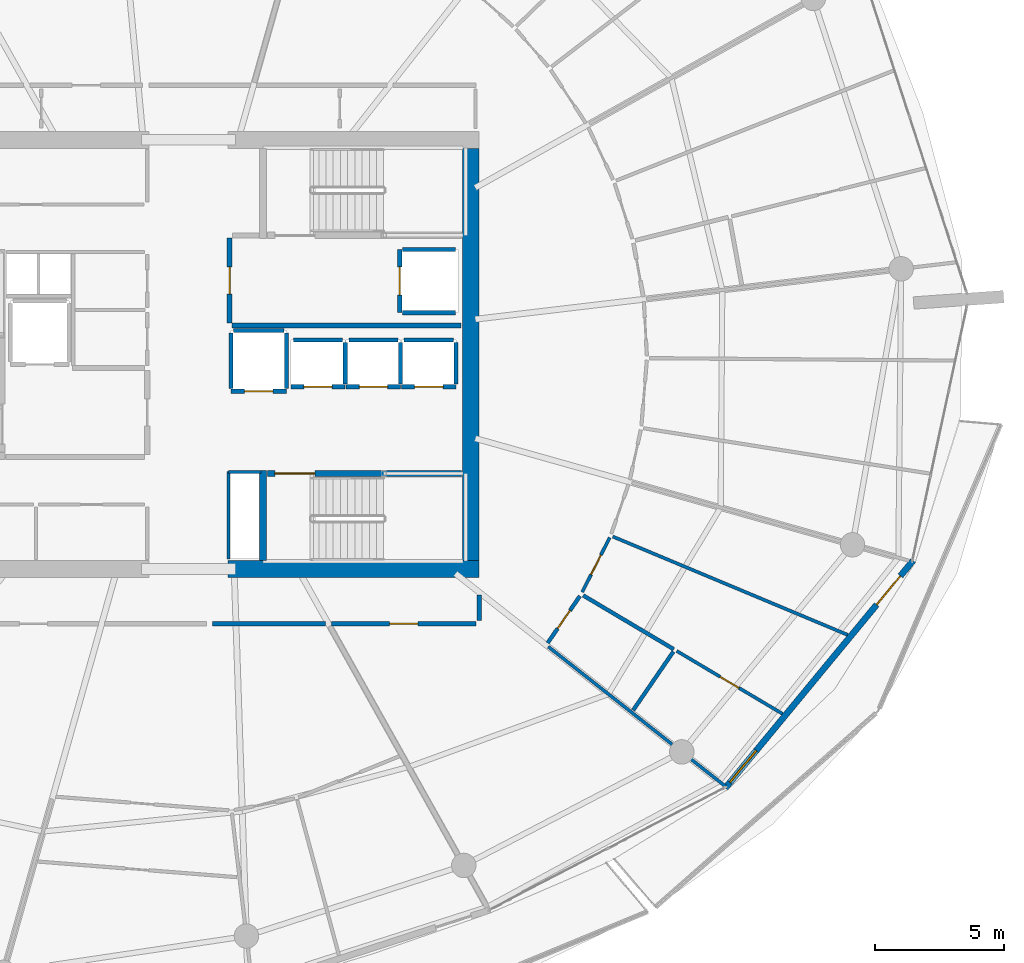
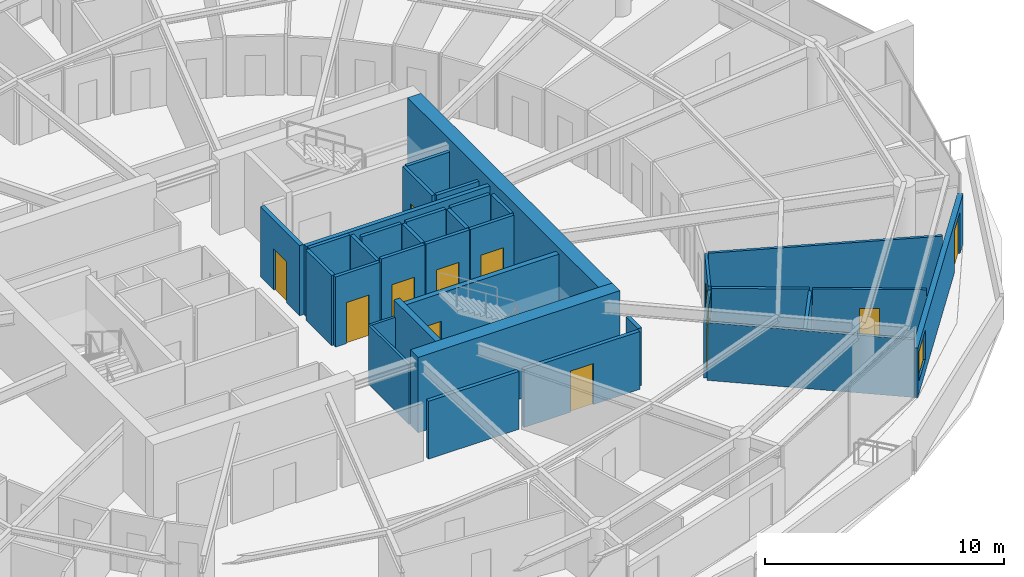
# One storey, part 20 of 31: 35 walls, 12 doors, 1 window, 13 openings.
"""IFC4 building model written with IfcOpenShell, lengths in metres."""

from ifc_helpers import new_model, si_unit, direction, frame, frame_2d, origin, place, context, subcontext, project, spatial, rectangle, extrude, material, layer, layer_set, type_object, element, fill, save


model = new_model("IFC4")

# Units and contexts
model_context = context("Model", 3, precision=1e-05, world=origin(), true_north=direction((0.0, 1.0)))
body_context = subcontext(model_context, "Body", "Model", "MODEL_VIEW")
ifc_project = project(units=[si_unit("LENGTHUNIT", "METRE"), si_unit("AREAUNIT", "SQUARE_METRE"), si_unit("VOLUMEUNIT", "CUBIC_METRE"), si_unit("PLANEANGLEUNIT", "RADIAN"), si_unit("MASSUNIT", "GRAM", prefix="KILO")], contexts=[model_context])

# Site, building, storey
site_placement = place(None, origin())
site = spatial("IfcSite", under=ifc_project, at=site_placement, CompositionType="ELEMENT")
building_placement = place(site_placement, origin())
building = spatial("IfcBuilding", under=site, at=building_placement, Name="Kazma Halo Residences", CompositionType="ELEMENT")
storey_placement = place(building_placement, frame((0.0, 0.0, 259.800048828125)))
storey = spatial("IfcBuildingStorey", under=building, at=storey_placement, Name="L65", CompositionType="ELEMENT", Elevation=259.800048828125)

# Walls
ifc_material_1 = material(Name="Concrete C60/75", Category="concrete")
ifc_layer_1 = layer(ifc_material_1, 0.64990234375)
ifc_layer_set_1 = layer_set([ifc_layer_1], Name="Concrete C60/75")
wall_type_1 = type_object("IfcWallType", Name="WL-CORE-650", PredefinedType="SHEAR", material=ifc_layer_set_1)
wall_1_placement = place(storey_placement, frame((49.949951171875, 33.675048828125, 0.0), z_axis=(0.0, 0.0, 1.0), x_axis=(1.0, 0.0, 0.0)))
element("IfcWall", 1, at=wall_1_placement, inside=storey, type_object=wall_type_1, Name="L65 central core shear wall SE", PredefinedType="SHEAR", context=body_context, shape_type="SweptSolid", body=[
    extrude(rectangle(XDim=9.75, YDim=0.64990234375, at=frame_2d((4.875, 0.0))), origin(), (0.0, 0.0, 1.0), 3.849853515625),
])
wall_2_placement = place(storey_placement, frame((59.375, 34.0, 0.0), z_axis=(0.0, 0.0, 1.0), x_axis=(0.0, 1.0, 0.0)))
element("IfcWall", 2, at=wall_2_placement, inside=storey, type_object=wall_type_1, Name="L65 central core shear wall E", PredefinedType="SHEAR", context=body_context, shape_type="SweptSolid", body=[
    extrude(rectangle(XDim=16.0, YDim=0.64990234375, at=frame_2d((8.0, 0.0))), origin(), (0.0, 0.0, 1.0), 3.849853515625),
])
ifc_layer_2 = layer(ifc_material_1, 0.280029296875)
ifc_layer_set_2 = layer_set([ifc_layer_2], Name="Concrete C60/75")
wall_type_2 = type_object("IfcWallType", Name="WL-CORE-ST-280", PredefinedType="SHEAR", material=ifc_layer_set_2)
wall_3_placement = place(storey_placement, frame((51.31005859375, 34.0, 0.0), z_axis=(0.0, 0.0, 1.0), x_axis=(0.0, 1.0, 0.0)))
element("IfcWall", 3, at=wall_3_placement, inside=storey, type_object=wall_type_2, Name="L65 stairwell bearing wall ST03-W", PredefinedType="SHEAR", context=body_context, shape_type="SweptSolid", body=[
    extrude(rectangle(XDim=3.5, YDim=0.280029296875, at=frame_2d((1.75, 0.0))), origin(), (0.0, 0.0, 1.0), 3.849853515625),
])
ifc_material_2 = material(Name="Acoustic Twin-Stud Gypsum")
ifc_layer_3 = layer(ifc_material_2, 0.179931640625)
ifc_layer_set_3 = layer_set([ifc_layer_3], Name="Acoustic Twin-Stud Gypsum")
wall_type_3 = type_object("IfcWallType", Name="WL-DEM-180", PredefinedType="PARTITIONING", material=ifc_layer_set_3)
wall_4_placement = place(storey_placement, frame((49.356689453125, 31.550048828125, 0.0), z_axis=(0.0, 0.0, 1.0), x_axis=(1.0, 0.0, 0.0)))
element("IfcWall", 4, at=wall_4_placement, inside=storey, type_object=wall_type_3, Name="L65 Apartment 2 inner wall 11", PredefinedType="PARTITIONING", context=body_context, shape_type="SweptSolid", body=[
    extrude(rectangle(XDim=4.375732421875, YDim=0.179931640625, at=frame_2d((2.18798828125, 0.0))), origin(), (0.0, 0.0, 1.0), 2.95703125),
])

# Wall, opening, door
wall_5_placement = place(storey_placement, frame((53.972412109375, 31.550048828125, 0.0), z_axis=(0.0, 0.0, 1.0), x_axis=(1.0, 0.0, 0.0)))
wall_5 = element("IfcWall", 5, at=wall_5_placement, inside=storey, type_object=wall_type_3, Name="L65 Apartment 3 entrance corridor wall", PredefinedType="PARTITIONING", context=body_context, shape_type="SweptSolid", body=[
    extrude(rectangle(XDim=5.607666015625, YDim=0.179931640625, at=frame_2d((2.8037109375, 0.0))), origin(), (0.0, 0.0, 1.0), 2.95703125),
])
opening_1_placement = place(wall_5_placement, frame((2.25390625, 0.0, 0.0)))
opening_1 = element("IfcOpeningElement", 6, at=opening_1_placement, cuts=wall_5, Name="Opening DA-1100", PredefinedType="OPENING", context=body_context, shape_type="SweptSolid", body=[
    extrude(rectangle(XDim=1.10009765625, YDim=2.10009765625, at=frame_2d((0.550048828125, 1.050048828125))), frame((0.0, 0.099853515625, 0.0), z_axis=(0.0, -1.0, 0.0), x_axis=(1.0, 0.0, 0.0)), (0.0, 0.0, 1.0), 0.199951171875),
])
ifc_material_3 = material(Name="Acoustic Walnut Fire Leaf")
door_type_1 = type_object("IfcDoorType", Name="DR-FD60-1100", OperationType="NOTDEFINED", PredefinedType="DOOR", material=ifc_material_3)
door_1_placement = place(opening_1_placement, origin())
door_1 = element("IfcDoor", 7, at=door_1_placement, inside=storey, type_object=door_type_1, Name="L65 Apartment 3 entrance fire door", OperationType="SINGLE_SWING_LEFT", OverallHeight=2.10009765625, OverallWidth=1.10009765625, PredefinedType="DOOR", context=body_context, shape_type="SweptSolid", body=[
    extrude(rectangle(XDim=1.10009765625, YDim=2.10009765625, at=frame_2d((0.550048828125, 1.050048828125))), frame((0.0, 0.02490234375, 0.0), z_axis=(0.0, -1.0, 0.0), x_axis=(1.0, 0.0, 0.0)), (0.0, 0.0, 1.0), 0.050048828125),
])
fill(opening_1, door_1)

# Wall
wall_6_placement = place(storey_placement, frame((59.699951171875, 31.669921875, 0.0), z_axis=(0.0, 0.0, 1.0), x_axis=(0.0, 1.0, 0.0)))
element("IfcWall", 8, at=wall_6_placement, inside=storey, type_object=wall_type_3, Name="L65 Apartment 3 entrance corridor wall", PredefinedType="PARTITIONING", context=body_context, shape_type="SweptSolid", body=[
    extrude(rectangle(XDim=0.986572265625, YDim=0.179931640625, at=frame_2d((0.4931640625, 0.0))), origin(), (0.0, 0.0, 1.0), 2.95703125),
])

# Wall, openings, door, window
ifc_material_4 = material(Name="Insulated Pale-Metal Composite Wall")
ifc_layer_4 = layer(ifc_material_4, 0.239990234375)
ifc_layer_set_4 = layer_set([ifc_layer_4], Name="Insulated Pale-Metal Composite Wall")
wall_type_4 = type_object("IfcWallType", Name="WL-EXT-HOST-240", PredefinedType="SOLIDWALL", material=ifc_layer_set_4)
wall_7_placement = place(storey_placement, frame((69.2578125, 25.177978515625, 0.0), z_axis=(0.0, 0.0, 1.0), x_axis=(0.636680093065, 0.771128043255, 0.0)))
wall_7 = element("IfcWall", 9, at=wall_7_placement, inside=storey, type_object=wall_type_4, Name="L65 exterior terrace-access wall B14", PredefinedType="SOLIDWALL", context=body_context, shape_type="SweptSolid", body=[
    extrude(rectangle(XDim=11.438232421875, YDim=0.239990234375, at=frame_2d((5.71923828125, 0.0))), origin(), (0.0, 0.0, 1.0), 2.5400390625),
])
opening_2_placement = place(wall_7_placement, frame((9.21826171875, 0.0, 0.0)))
opening_2 = element("IfcOpeningElement", 10, at=opening_2_placement, cuts=wall_7, Name="Opening DTR-1600", PredefinedType="OPENING", context=body_context, shape_type="SweptSolid", body=[
    extrude(rectangle(XDim=1.449951171875, YDim=2.14990234375, at=frame_2d((0.72509765625, 1.074951171875))), frame((0.0, 0.1298828125, 0.0), z_axis=(0.0, -1.0, 0.0), x_axis=(1.0, 0.0, 0.0)), (0.0, 0.0, 1.0), 0.260009765625),
])
opening_3_placement = place(wall_7_placement, frame((0.280029296875, 0.0, 0.64990234375)))
opening_3 = element("IfcOpeningElement", 11, at=opening_3_placement, cuts=wall_7, Name="Opening W-1800", PredefinedType="OPENING", context=body_context, shape_type="SweptSolid", body=[
    extrude(rectangle(XDim=1.60009765625, YDim=1.5, at=frame_2d((0.800048828125, 0.75))), frame((0.0, 0.1298828125, 0.0), z_axis=(0.0, -1.0, 0.0), x_axis=(1.0, 0.0, 0.0)), (0.0, 0.0, 1.0), 0.260009765625),
])
ifc_material_5 = material(Name="Aluminium AW-6063 T6 Double-Glazed Terrace Door", Category="aluminium")
door_type_2 = type_object("IfcDoorType", Name="DR-EXT-TERR-1600", OperationType="NOTDEFINED", PredefinedType="DOOR", material=ifc_material_5)
door_2_placement = place(opening_2_placement, origin())
door_2 = element("IfcDoor", 12, at=door_2_placement, inside=storey, type_object=door_type_2, Name="L65 B14 balcony terrace door", OperationType="DOUBLE_DOOR_SLIDING", OverallHeight=2.14990234375, OverallWidth=1.449951171875, PredefinedType="DOOR", context=body_context, shape_type="SweptSolid", body=[
    extrude(rectangle(XDim=1.449951171875, YDim=2.14990234375, at=frame_2d((0.72509765625, 1.074951171875))), frame((0.0, 0.02490234375, 0.0), z_axis=(0.0, -1.0, 0.0), x_axis=(1.0, 0.0, 0.0)), (0.0, 0.0, 1.0), 0.050048828125),
])
fill(opening_2, door_2)
ifc_material_6 = material(Name="Clear Triple-Silver Low-E Glass in Aluminium AW-6063 T6 Frame", Category="aluminium")
window_type = type_object("IfcWindowType", Name="WIN-RES-1800", PartitioningType="DOUBLE_PANEL_VERTICAL", PredefinedType="WINDOW", material=ifc_material_6)
window_placement = place(opening_3_placement, origin())
window = element("IfcWindow", 13, at=window_placement, inside=storey, type_object=window_type, Name="L65 B14 apartment window", OverallHeight=1.5, OverallWidth=1.60009765625, PartitioningType="SINGLE_PANEL", PredefinedType="WINDOW", context=body_context, shape_type="SweptSolid", body=[
    extrude(rectangle(XDim=1.60009765625, YDim=1.5, at=frame_2d((0.800048828125, 0.75))), frame((0.0, 0.030029296875, 0.0), z_axis=(0.0, -1.0, 0.0), x_axis=(1.0, 0.0, 0.0)), (0.0, 0.0, 1.0), 0.06005859375),
])
fill(opening_3, window)

# Wall, opening, door
ifc_material_7 = material(Name="Fire-Rated Blockwork Masonry", Category="masonry")
ifc_layer_5 = layer(ifc_material_7, 0.199951171875)
ifc_layer_set_5 = layer_set([ifc_layer_5], Name="Fire-Rated Blockwork Masonry")
wall_type_5 = type_object("IfcWallType", Name="WL-FLB-200", PredefinedType="PARTITIONING", material=ifc_layer_set_5)
wall_8_placement = place(storey_placement, frame((54.5048828125, 40.7451171875, 0.0), z_axis=(0.0, 0.0, 1.0), x_axis=(-1.0, 0.0, 0.0)))
wall_8 = element("IfcWall", 14, at=wall_8_placement, inside=storey, type_object=wall_type_5, Name="L65 lift shaft PH-01 front wall", PredefinedType="PARTITIONING", context=body_context, shape_type="SweptSolid", body=[
    extrude(rectangle(XDim=2.10986328125, YDim=0.159912109375, at=frame_2d((1.054931640625, 0.0))), origin(), (0.0, 0.0, 1.0), 3.58984375),
])
opening_4_placement = place(wall_8_placement, frame((0.5048828125, 0.0, 0.0)))
opening_4 = element("IfcOpeningElement", 15, at=opening_4_placement, cuts=wall_8, Name="Opening LD-PH-01", PredefinedType="OPENING", context=body_context, shape_type="SweptSolid", body=[
    extrude(rectangle(XDim=1.10009765625, YDim=2.10009765625, at=frame_2d((0.550048828125, 1.050048828125))), frame((0.0, 0.08984375, 0.0), z_axis=(0.0, -1.0, 0.0), x_axis=(1.0, 0.0, 0.0)), (0.0, 0.0, 1.0), 0.179931640625),
])
ifc_material_8 = material(Name="Stainless Steel Fire-Rated", Category="steel")
door_type_3 = type_object("IfcDoorType", Name="DR-LIFT-SLD-1100", OperationType="DOUBLE_DOOR_SLIDING", PredefinedType="DOOR", material=ifc_material_8)
door_3_placement = place(opening_4_placement, origin())
door_3 = element("IfcDoor", 16, at=door_3_placement, inside=storey, type_object=door_type_3, Name="L65 lift PH-01 sliding landing door", OperationType="DOUBLE_DOOR_SLIDING", OverallHeight=2.10009765625, OverallWidth=1.10009765625, PredefinedType="DOOR", context=body_context, shape_type="SweptSolid", body=[
    extrude(rectangle(XDim=1.10009765625, YDim=2.10009765625, at=frame_2d((0.550048828125, 1.050048828125))), frame((0.0, 0.02490234375, 0.0), z_axis=(0.0, -1.0, 0.0), x_axis=(1.0, 0.0, 0.0)), (0.0, 0.0, 1.0), 0.050048828125),
])
fill(opening_4, door_3)

# Walls
wall_9_placement = place(storey_placement, frame((54.5048828125, 40.844970703125, 0.0), z_axis=(0.0, 0.0, 1.0), x_axis=(0.0, 1.0, 0.0)))
element("IfcWall", 17, at=wall_9_placement, inside=storey, type_object=wall_type_5, Name="L65 lift shaft PH-01 side wall E", PredefinedType="PARTITIONING", context=body_context, shape_type="SweptSolid", body=[
    extrude(rectangle(XDim=1.610107421875, YDim=0.159912109375, at=frame_2d((0.80517578125, 0.0))), origin(), (0.0, 0.0, 1.0), 3.58984375),
])
wall_10_placement = place(storey_placement, frame((52.4951171875, 42.554931640625, 0.0), z_axis=(0.0, 0.0, 1.0), x_axis=(1.0, 0.0, 0.0)))
element("IfcWall", 18, at=wall_10_placement, inside=storey, type_object=wall_type_5, Name="L65 lift shaft PH-01 side wall N", PredefinedType="PARTITIONING", context=body_context, shape_type="SweptSolid", body=[
    extrude(rectangle(XDim=1.909912109375, YDim=0.159912109375, at=frame_2d((0.955078125, 0.0))), origin(), (0.0, 0.0, 1.0), 3.58984375),
])

# Wall, opening, door
wall_11_placement = place(storey_placement, frame((56.655029296875, 40.7451171875, 0.0), z_axis=(0.0, 0.0, 1.0), x_axis=(-1.0, 0.0, 0.0)))
wall_11 = element("IfcWall", 19, at=wall_11_placement, inside=storey, type_object=wall_type_5, Name="L65 lift shaft PH-02 front wall", PredefinedType="PARTITIONING", context=body_context, shape_type="SweptSolid", body=[
    extrude(rectangle(XDim=2.110107421875, YDim=0.159912109375, at=frame_2d((1.05517578125, 0.0))), origin(), (0.0, 0.0, 1.0), 3.58984375),
])
opening_5_placement = place(wall_11_placement, frame((0.5048828125, 0.0, 0.0)))
opening_5 = element("IfcOpeningElement", 20, at=opening_5_placement, cuts=wall_11, Name="Opening LD-PH-02", PredefinedType="OPENING", context=body_context, shape_type="SweptSolid", body=[
    extrude(rectangle(XDim=1.10009765625, YDim=2.10009765625, at=frame_2d((0.550048828125, 1.050048828125))), frame((0.0, 0.08984375, 0.0), z_axis=(0.0, -1.0, 0.0), x_axis=(1.0, 0.0, 0.0)), (0.0, 0.0, 1.0), 0.179931640625),
])
door_4_placement = place(opening_5_placement, origin())
door_4 = element("IfcDoor", 21, at=door_4_placement, inside=storey, type_object=door_type_3, Name="L65 lift PH-02 sliding landing door", OperationType="DOUBLE_DOOR_SLIDING", OverallHeight=2.10009765625, OverallWidth=1.10009765625, PredefinedType="DOOR", context=body_context, shape_type="SweptSolid", body=[
    extrude(rectangle(XDim=1.10009765625, YDim=2.10009765625, at=frame_2d((0.550048828125, 1.050048828125))), frame((0.0, 0.02490234375, 0.0), z_axis=(0.0, -1.0, 0.0), x_axis=(1.0, 0.0, 0.0)), (0.0, 0.0, 1.0), 0.050048828125),
])
fill(opening_5, door_4)

# Walls
wall_12_placement = place(storey_placement, frame((56.655029296875, 40.844970703125, 0.0), z_axis=(0.0, 0.0, 1.0), x_axis=(0.0, 1.0, 0.0)))
element("IfcWall", 22, at=wall_12_placement, inside=storey, type_object=wall_type_5, Name="L65 lift shaft PH-02 side wall E", PredefinedType="PARTITIONING", context=body_context, shape_type="SweptSolid", body=[
    extrude(rectangle(XDim=1.610107421875, YDim=0.159912109375, at=frame_2d((0.80517578125, 0.0))), origin(), (0.0, 0.0, 1.0), 3.58984375),
])
wall_13_placement = place(storey_placement, frame((54.64501953125, 42.554931640625, 0.0), z_axis=(0.0, 0.0, 1.0), x_axis=(1.0, 0.0, 0.0)))
element("IfcWall", 23, at=wall_13_placement, inside=storey, type_object=wall_type_5, Name="L65 lift shaft PH-02 side wall N", PredefinedType="PARTITIONING", context=body_context, shape_type="SweptSolid", body=[
    extrude(rectangle(XDim=1.909912109375, YDim=0.159912109375, at=frame_2d((0.955078125, 0.0))), origin(), (0.0, 0.0, 1.0), 3.58984375),
])

# Wall, opening, door
wall_14_placement = place(storey_placement, frame((58.804931640625, 40.7451171875, 0.0), z_axis=(0.0, 0.0, 1.0), x_axis=(-1.0, 0.0, 0.0)))
wall_14 = element("IfcWall", 24, at=wall_14_placement, inside=storey, type_object=wall_type_5, Name="L65 lift shaft PH-03 front wall", PredefinedType="PARTITIONING", context=body_context, shape_type="SweptSolid", body=[
    extrude(rectangle(XDim=2.10986328125, YDim=0.159912109375, at=frame_2d((1.054931640625, 0.0))), origin(), (0.0, 0.0, 1.0), 3.58984375),
])
opening_6_placement = place(wall_14_placement, frame((0.5048828125, 0.0, 0.0)))
opening_6 = element("IfcOpeningElement", 25, at=opening_6_placement, cuts=wall_14, Name="Opening LD-PH-03", PredefinedType="OPENING", context=body_context, shape_type="SweptSolid", body=[
    extrude(rectangle(XDim=1.10009765625, YDim=2.10009765625, at=frame_2d((0.550048828125, 1.050048828125))), frame((0.0, 0.08984375, 0.0), z_axis=(0.0, -1.0, 0.0), x_axis=(1.0, 0.0, 0.0)), (0.0, 0.0, 1.0), 0.179931640625),
])
door_5_placement = place(opening_6_placement, origin())
door_5 = element("IfcDoor", 26, at=door_5_placement, inside=storey, type_object=door_type_3, Name="L65 lift PH-03 sliding landing door", OperationType="DOUBLE_DOOR_SLIDING", OverallHeight=2.10009765625, OverallWidth=1.10009765625, PredefinedType="DOOR", context=body_context, shape_type="SweptSolid", body=[
    extrude(rectangle(XDim=1.10009765625, YDim=2.10009765625, at=frame_2d((0.550048828125, 1.050048828125))), frame((0.0, 0.02490234375, 0.0), z_axis=(0.0, -1.0, 0.0), x_axis=(1.0, 0.0, 0.0)), (0.0, 0.0, 1.0), 0.050048828125),
])
fill(opening_6, door_5)

# Walls
wall_15_placement = place(storey_placement, frame((58.804931640625, 40.844970703125, 0.0), z_axis=(0.0, 0.0, 1.0), x_axis=(0.0, 1.0, 0.0)))
element("IfcWall", 27, at=wall_15_placement, inside=storey, type_object=wall_type_5, Name="L65 lift shaft PH-03 side wall E", PredefinedType="PARTITIONING", context=body_context, shape_type="SweptSolid", body=[
    extrude(rectangle(XDim=1.610107421875, YDim=0.159912109375, at=frame_2d((0.80517578125, 0.0))), origin(), (0.0, 0.0, 1.0), 3.58984375),
])
wall_16_placement = place(storey_placement, frame((56.794921875, 42.554931640625, 0.0), z_axis=(0.0, 0.0, 1.0), x_axis=(1.0, 0.0, 0.0)))
element("IfcWall", 28, at=wall_16_placement, inside=storey, type_object=wall_type_5, Name="L65 lift shaft PH-03 side wall N", PredefinedType="PARTITIONING", context=body_context, shape_type="SweptSolid", body=[
    extrude(rectangle(XDim=1.91015625, YDim=0.159912109375, at=frame_2d((0.955078125, 0.0))), origin(), (0.0, 0.0, 1.0), 3.58984375),
])

# Wall, opening, door
wall_17_placement = place(storey_placement, frame((56.6201171875, 46.080078125, 0.0), z_axis=(0.0, 0.0, 1.0), x_axis=(0.0, -1.0, 0.0)))
wall_17 = element("IfcWall", 29, at=wall_17_placement, inside=storey, type_object=wall_type_5, Name="L65 lift shaft FL-02 front wall", PredefinedType="PARTITIONING", context=body_context, shape_type="SweptSolid", body=[
    extrude(rectangle(XDim=2.4599609375, YDim=0.159912109375, at=frame_2d((1.22998046875, 0.0))), origin(), (0.0, 0.0, 1.0), 3.58984375),
])
opening_7_placement = place(wall_17_placement, frame((0.679931640625, 0.0, 0.0)))
opening_7 = element("IfcOpeningElement", 30, at=opening_7_placement, cuts=wall_17, Name="Opening LD-FL-02", PredefinedType="OPENING", context=body_context, shape_type="SweptSolid", body=[
    extrude(rectangle(XDim=1.10009765625, YDim=2.10009765625, at=frame_2d((0.550048828125, 1.050048828125))), frame((0.0, 0.08984375, 0.0), z_axis=(0.0, -1.0, 0.0), x_axis=(1.0, 0.0, 0.0)), (0.0, 0.0, 1.0), 0.179931640625),
])
door_6_placement = place(opening_7_placement, origin())
door_6 = element("IfcDoor", 31, at=door_6_placement, inside=storey, type_object=door_type_3, Name="L65 lift FL-02 sliding landing door", OperationType="DOUBLE_DOOR_SLIDING", OverallHeight=2.10009765625, OverallWidth=1.10009765625, PredefinedType="DOOR", context=body_context, shape_type="SweptSolid", body=[
    extrude(rectangle(XDim=1.10009765625, YDim=2.10009765625, at=frame_2d((0.550048828125, 1.050048828125))), frame((0.0, 0.02490234375, 0.0), z_axis=(0.0, -1.0, 0.0), x_axis=(1.0, 0.0, 0.0)), (0.0, 0.0, 1.0), 0.050048828125),
])
fill(opening_7, door_6)

# Walls
for number, where, z_axis, x_axis, name in (
    (32, (56.719970703125, 46.080078125, 0.0), (0.0, 0.0, 1.0), (1.0, 0.0, 0.0), "L65 lift shaft FL-02 side wall N"),
    (33, (56.719970703125, 43.6201171875, 0.0), (0.0, 0.0, 1.0), (1.0, 0.0, 0.0), "L65 lift shaft FL-02 side wall S"),
):
    element("IfcWall", number, at=place(storey_placement, frame(where, z_axis=z_axis, x_axis=x_axis)), inside=storey, type_object=wall_type_5, Name=name, PredefinedType="PARTITIONING", context=body_context, shape_type="SweptSolid", body=[
        extrude(rectangle(XDim=2.06005859375, YDim=0.159912109375, at=frame_2d((1.030029296875, 0.0))), origin(), (0.0, 0.0, 1.0), 3.58984375),
    ])

# Wall, opening, door
wall_18_placement = place(storey_placement, frame((52.22998046875, 40.570068359375, 0.0), z_axis=(0.0, 0.0, 1.0), x_axis=(-1.0, 0.0, 0.0)))
wall_18 = element("IfcWall", 34, at=wall_18_placement, inside=storey, type_object=wall_type_5, Name="L65 lift shaft SV-01 front wall", PredefinedType="PARTITIONING", context=body_context, shape_type="SweptSolid", body=[
    extrude(rectangle(XDim=2.159912109375, YDim=0.159912109375, at=frame_2d((1.080078125, 0.0))), origin(), (0.0, 0.0, 1.0), 3.58984375),
])
opening_8_placement = place(wall_18_placement, frame((0.530029296875, 0.0, 0.0)))
opening_8 = element("IfcOpeningElement", 35, at=opening_8_placement, cuts=wall_18, Name="Opening LD-SV-01", PredefinedType="OPENING", context=body_context, shape_type="SweptSolid", body=[
    extrude(rectangle(XDim=1.10009765625, YDim=2.10009765625, at=frame_2d((0.550048828125, 1.050048828125))), frame((0.0, 0.08984375, 0.0), z_axis=(0.0, -1.0, 0.0), x_axis=(1.0, 0.0, 0.0)), (0.0, 0.0, 1.0), 0.179931640625),
])
door_7_placement = place(opening_8_placement, origin())
door_7 = element("IfcDoor", 36, at=door_7_placement, inside=storey, type_object=door_type_3, Name="L65 lift SV-01 sliding landing door", OperationType="DOUBLE_DOOR_SLIDING", OverallHeight=2.10009765625, OverallWidth=1.10009765625, PredefinedType="DOOR", context=body_context, shape_type="SweptSolid", body=[
    extrude(rectangle(XDim=1.10009765625, YDim=2.10009765625, at=frame_2d((0.550048828125, 1.050048828125))), frame((0.0, 0.02490234375, 0.0), z_axis=(0.0, -1.0, 0.0), x_axis=(1.0, 0.0, 0.0)), (0.0, 0.0, 1.0), 0.050048828125),
])
fill(opening_8, door_7)

# Walls
for number, where, z_axis, x_axis, name in (
    (37, (52.22998046875, 40.669921875, 0.0), (0.0, 0.0, 1.0), (0.0, 1.0, 0.0), "L65 lift shaft SV-01 side wall E"),
    (38, (50.070068359375, 40.669921875, 0.0), (0.0, 0.0, 1.0), (0.0, 1.0, 0.0), "L65 lift shaft SV-01 side wall W"),
):
    element("IfcWall", number, at=place(storey_placement, frame(where, z_axis=z_axis, x_axis=x_axis)), inside=storey, type_object=wall_type_5, Name=name, PredefinedType="PARTITIONING", context=body_context, shape_type="SweptSolid", body=[
        extrude(rectangle(XDim=2.16015625, YDim=0.159912109375, at=frame_2d((1.080078125, 0.0))), origin(), (0.0, 0.0, 1.0), 3.58984375),
    ])
wall_19_placement = place(storey_placement, frame((50.169921875, 42.929931640625, 0.0), z_axis=(0.0, 0.0, 1.0), x_axis=(1.0, 0.0, 0.0)))
element("IfcWall", 39, at=wall_19_placement, inside=storey, type_object=wall_type_5, Name="L65 lift shaft SV-01 side wall N", PredefinedType="PARTITIONING", context=body_context, shape_type="SweptSolid", body=[
    extrude(rectangle(XDim=1.9599609375, YDim=0.159912109375, at=frame_2d((0.97998046875, 0.0))), origin(), (0.0, 0.0, 1.0), 3.58984375),
])
wall_20_placement = place(storey_placement, frame((50.1201171875, 43.1201171875, 0.0), z_axis=(0.0, 0.0, 1.0), x_axis=(1.0, 0.0, 0.0)))
element("IfcWall", 40, at=wall_20_placement, inside=storey, type_object=wall_type_5, Name="L65 east firefighting lobby south smoke wall", PredefinedType="PARTITIONING", context=body_context, shape_type="SweptSolid", body=[
    extrude(rectangle(XDim=8.8798828125, YDim=0.199951171875, at=frame_2d((4.43994140625, 0.0))), origin(), (0.0, 0.0, 1.0), 3.58984375),
])

# Wall, opening, door
wall_21_placement = place(storey_placement, frame((50.02001953125, 43.219970703125, 0.0), z_axis=(0.0, 0.0, 1.0), x_axis=(0.0, 1.0, 0.0)))
wall_21 = element("IfcWall", 41, at=wall_21_placement, inside=storey, type_object=wall_type_5, Name="L65 east firefighting lobby smoke wall", PredefinedType="PARTITIONING", context=body_context, shape_type="SweptSolid", body=[
    extrude(rectangle(XDim=3.300048828125, YDim=0.199951171875, at=frame_2d((1.64990234375, 0.0))), origin(), (0.0, 0.0, 1.0), 3.58984375),
])
opening_9_placement = place(wall_21_placement, frame((1.125, 0.0, 0.0)))
opening_9 = element("IfcOpeningElement", 42, at=opening_9_placement, cuts=wall_21, Name="Opening D-FLE", PredefinedType="OPENING", context=body_context, shape_type="SweptSolid", body=[
    extrude(rectangle(XDim=1.050048828125, YDim=2.10009765625, at=frame_2d((0.52490234375, 1.050048828125))), frame((0.0, 0.10986328125, 0.0), z_axis=(0.0, -1.0, 0.0), x_axis=(1.0, 0.0, 0.0)), (0.0, 0.0, 1.0), 0.219970703125),
])
ifc_material_9 = material(Name="Fire-Rated Steel Leaf", Category="steel")
door_type_4 = type_object("IfcDoorType", Name="DR-FD90-1050", OperationType="NOTDEFINED", PredefinedType="DOOR", material=ifc_material_9)
door_8_placement = place(opening_9_placement, origin())
door_8 = element("IfcDoor", 43, at=door_8_placement, inside=storey, type_object=door_type_4, Name="L65 east firefighting lobby smoke door", OperationType="SINGLE_SWING_LEFT", OverallHeight=2.10009765625, OverallWidth=1.050048828125, PredefinedType="DOOR", context=body_context, shape_type="SweptSolid", body=[
    extrude(rectangle(XDim=1.050048828125, YDim=2.10009765625, at=frame_2d((0.52490234375, 1.050048828125))), frame((0.0, 0.02490234375, 0.0), z_axis=(0.0, -1.0, 0.0), x_axis=(1.0, 0.0, 0.0)), (0.0, 0.0, 1.0), 0.050048828125),
])
fill(opening_9, door_8)

# Walls
ifc_material_10 = material(Name="Gypsum Plasterboard Partition")
ifc_layer_6 = layer(ifc_material_10, 0.125)
ifc_layer_set_6 = layer_set([ifc_layer_6], Name="Gypsum Plasterboard Partition")
wall_type_6 = type_object("IfcWallType", Name="WL-PART-125", PredefinedType="PARTITIONING", material=ifc_layer_set_6)
wall_22_placement = place(storey_placement, frame((49.97998046875, 34.06005859375, 0.0), z_axis=(0.0, 0.0, 1.0), x_axis=(0.0, 1.0, 0.0)))
element("IfcWall", 44, at=wall_22_placement, inside=storey, type_object=wall_type_6, Name="L65 standpipe riser wall", PredefinedType="PARTITIONING", context=body_context, shape_type="SweptSolid", body=[
    extrude(rectangle(XDim=3.39990234375, YDim=0.125, at=frame_2d((1.699951171875, 0.0))), origin(), (0.0, 0.0, 1.0), 3.030029296875),
])
wall_23_placement = place(storey_placement, frame((49.97998046875, 37.43994140625, 0.0), z_axis=(0.0, 0.0, 1.0), x_axis=(1.0, 0.0, 0.0)))
element("IfcWall", 45, at=wall_23_placement, inside=storey, type_object=wall_type_6, Name="L65 standpipe riser north wall", PredefinedType="PARTITIONING", context=body_context, shape_type="SweptSolid", body=[
    extrude(rectangle(XDim=1.260009765625, YDim=0.125, at=frame_2d((0.6298828125, 0.0))), origin(), (0.0, 0.0, 1.0), 3.030029296875),
])
wall_24_placement = place(storey_placement, frame((62.384521484375, 30.66015625, 0.0), z_axis=(0.0, 0.0, 1.0), x_axis=(0.785323056309, -0.619086179162, 0.0)))
element("IfcWall", 46, at=wall_24_placement, inside=storey, type_object=wall_type_6, Name="L65 Apartment 3 radial partition 13", PredefinedType="PARTITIONING", context=body_context, shape_type="SweptSolid", body=[
    extrude(rectangle(XDim=8.767822265625, YDim=0.125, at=frame_2d((4.3837890625, 0.0))), origin(), (0.0, 0.0, 1.0), 2.95703125),
])

# Wall, opening, door
wall_25_placement = place(storey_placement, frame((67.367431640625, 30.49462890625, 0.0), z_axis=(0.0, 0.0, 1.0), x_axis=(0.859757948581, -0.510701742557, 0.0)))
wall_25 = element("IfcWall", 47, at=wall_25_placement, inside=storey, type_object=wall_type_6, Name="L65 Apartment 3 Utility Laundry Room partition wall", PredefinedType="PARTITIONING", context=body_context, shape_type="SweptSolid", body=[
    extrude(rectangle(XDim=4.775634765625, YDim=0.125, at=frame_2d((2.3876953125, 0.0))), origin(), (0.0, 0.0, 1.0), 3.030029296875),
])
opening_10_placement = place(wall_25_placement, frame((1.962890625, 0.0, 0.0)))
opening_10 = element("IfcOpeningElement", 48, at=opening_10_placement, cuts=wall_25, Name="Opening DB-900", PredefinedType="OPENING", context=body_context, shape_type="SweptSolid", body=[
    extrude(rectangle(XDim=0.85009765625, YDim=2.06005859375, at=frame_2d((0.425048828125, 1.030029296875))), frame((0.0, 0.072509765625, 0.0), z_axis=(0.0, -1.0, 0.0), x_axis=(1.0, 0.0, 0.0)), (0.0, 0.0, 1.0), 0.14501953125),
])
ifc_material_11 = material(Name="Moisture-Sealed Timber Leaf", Category="wood")
door_type_5 = type_object("IfcDoorType", Name="DR-BTH-900", OperationType="NOTDEFINED", PredefinedType="DOOR", material=ifc_material_11)
door_9_placement = place(opening_10_placement, origin())
door_9 = element("IfcDoor", 49, at=door_9_placement, inside=storey, type_object=door_type_5, Name="L65 Apartment 3 Utility Laundry Room door", OperationType="SINGLE_SWING_RIGHT", OverallHeight=2.06005859375, OverallWidth=0.85009765625, PredefinedType="DOOR", context=body_context, shape_type="SweptSolid", body=[
    extrude(rectangle(XDim=0.85009765625, YDim=2.06005859375, at=frame_2d((0.425048828125, 1.030029296875))), frame((0.0, 0.02490234375, 0.0), z_axis=(0.0, -1.0, 0.0), x_axis=(1.0, 0.0, 0.0)), (0.0, 0.0, 1.0), 0.050048828125),
])
fill(opening_10, door_9)

# Wall
wall_26_placement = place(storey_placement, frame((64.887939453125, 34.93310546875, 0.0), z_axis=(0.0, 0.0, 1.0), x_axis=(0.922480265394, -0.386044246114, 0.0)))
element("IfcWall", 50, at=wall_26_placement, inside=storey, type_object=wall_type_6, Name="L65 Apartment 3 suite divider 13", PredefinedType="PARTITIONING", context=body_context, shape_type="SweptSolid", body=[
    extrude(rectangle(XDim=9.884765625, YDim=0.125, at=frame_2d((4.9423828125, 0.0))), origin(), (0.0, 0.0, 1.0), 3.030029296875),
])

# Wall, opening, door
wall_27_placement = place(storey_placement, frame((63.702392578125, 32.7763671875, 0.0), z_axis=(0.0, 0.0, 1.0), x_axis=(0.449393387547, 0.893333970712, 0.0)))
wall_27 = element("IfcWall", 51, at=wall_27_placement, inside=storey, type_object=wall_type_6, Name="L65 Apartment 3 Gourmet Kitchen hall wall", PredefinedType="PARTITIONING", context=body_context, shape_type="SweptSolid", body=[
    extrude(rectangle(XDim=2.373046875, YDim=0.125, at=frame_2d((1.1865234375, 0.0))), origin(), (0.0, 0.0, 1.0), 3.030029296875),
])
opening_11_placement = place(wall_27_placement, frame((0.761474609375, 0.0, 0.0)))
opening_11 = element("IfcOpeningElement", 52, at=opening_11_placement, cuts=wall_27, Name="Opening DB-900", PredefinedType="OPENING", context=body_context, shape_type="SweptSolid", body=[
    extrude(rectangle(XDim=0.85009765625, YDim=2.06005859375, at=frame_2d((0.425048828125, 1.030029296875))), frame((0.0, 0.072509765625, 0.0), z_axis=(0.0, -1.0, 0.0), x_axis=(1.0, 0.0, 0.0)), (0.0, 0.0, 1.0), 0.14501953125),
])
door_10_placement = place(opening_11_placement, origin())
door_10 = element("IfcDoor", 53, at=door_10_placement, inside=storey, type_object=door_type_5, Name="L65 Apartment 3 Gourmet Kitchen door", OperationType="SINGLE_SWING_LEFT", OverallHeight=2.06005859375, OverallWidth=0.85009765625, PredefinedType="DOOR", context=body_context, shape_type="SweptSolid", body=[
    extrude(rectangle(XDim=0.85009765625, YDim=2.06005859375, at=frame_2d((0.425048828125, 1.030029296875))), frame((0.0, 0.02490234375, 0.0), z_axis=(0.0, -1.0, 0.0), x_axis=(1.0, 0.0, 0.0)), (0.0, 0.0, 1.0), 0.050048828125),
])
fill(opening_11, door_10)

ifc_material_12 = material(Name="Concrete C50/60", Category="concrete")
ifc_layer_7 = layer(ifc_material_12, 0.25)
ifc_layer_set_7 = layer_set([ifc_layer_7], Name="Concrete C50/60")
wall_type_7 = type_object("IfcWallType", Name="WL-SHF-250", PredefinedType="SOLIDWALL", material=ifc_layer_set_7)
wall_28_placement = place(storey_placement, frame((51.47998046875, 37.3798828125, 0.0), z_axis=(0.0, 0.0, 1.0), x_axis=(1.0, 0.0, 0.0)))
wall_28 = element("IfcWall", 54, at=wall_28_placement, inside=storey, type_object=wall_type_7, Name="L65 exit stair ST-03 enclosure wall", PredefinedType="SOLIDWALL", context=body_context, shape_type="SweptSolid", body=[
    extrude(rectangle(XDim=7.5400390625, YDim=0.25, at=frame_2d((3.77001953125, 0.0))), origin(), (0.0, 0.0, 1.0), 3.58984375),
])
opening_12_placement = place(wall_28_placement, frame((0.300048828125, 0.0, 0.0)))
opening_12 = element("IfcOpeningElement", 55, at=opening_12_placement, cuts=wall_28, Name="Opening D-ST3", PredefinedType="OPENING", context=body_context, shape_type="SweptSolid", body=[
    extrude(rectangle(XDim=1.550048828125, YDim=2.14990234375, at=frame_2d((0.77490234375, 1.074951171875))), frame((0.0, 0.135009765625, 0.0), z_axis=(0.0, -1.0, 0.0), x_axis=(1.0, 0.0, 0.0)), (0.0, 0.0, 1.0), 0.27001953125),
])
ifc_material_13 = material(Name="Fire-Rated Double Steel Leaf", Category="steel")
door_type_6 = type_object("IfcDoorType", Name="DR-FD90-1550", OperationType="NOTDEFINED", PredefinedType="DOOR", material=ifc_material_13)
door_11_placement = place(opening_12_placement, origin())
door_11 = element("IfcDoor", 56, at=door_11_placement, inside=storey, type_object=door_type_6, Name="L65 exit stair ST-03 fire door", OperationType="DOUBLE_DOOR_SINGLE_SWING", OverallHeight=2.14990234375, OverallWidth=1.550048828125, PredefinedType="DOOR", context=body_context, shape_type="SweptSolid", body=[
    extrude(rectangle(XDim=1.550048828125, YDim=2.14990234375, at=frame_2d((0.77490234375, 1.074951171875))), frame((0.0, 0.02490234375, 0.0), z_axis=(0.0, -1.0, 0.0), x_axis=(1.0, 0.0, 0.0)), (0.0, 0.0, 1.0), 0.050048828125),
])
fill(opening_12, door_11)

ifc_material_14 = material(Name="Moisture-Resistant Gypsum")
ifc_layer_8 = layer(ifc_material_14, 0.14990234375)
ifc_layer_set_8 = layer_set([ifc_layer_8], Name="Moisture-Resistant Gypsum")
wall_type_8 = type_object("IfcWallType", Name="WL-WET-150", PredefinedType="PARTITIONING", material=ifc_layer_set_8)
wall_29_placement = place(storey_placement, frame((62.36279296875, 30.804443359375, 0.0), z_axis=(0.0, 0.0, 1.0), x_axis=(0.566096364518, 0.824339072275, 0.0)))
wall_29 = element("IfcWall", 57, at=wall_29_placement, inside=storey, type_object=wall_type_8, Name="L65 Apartment 3 Guest Bathroom hall wall", PredefinedType="PARTITIONING", context=body_context, shape_type="SweptSolid", body=[
    extrude(rectangle(XDim=2.20458984375, YDim=0.14990234375, at=frame_2d((1.102294921875, 0.0))), origin(), (0.0, 0.0, 1.0), 2.95703125),
])
opening_13_placement = place(wall_29_placement, frame((0.677490234375, 0.0, 0.0)))
opening_13 = element("IfcOpeningElement", 58, at=opening_13_placement, cuts=wall_29, Name="Opening DB-900", PredefinedType="OPENING", context=body_context, shape_type="SweptSolid", body=[
    extrude(rectangle(XDim=0.85009765625, YDim=2.06005859375, at=frame_2d((0.425048828125, 1.030029296875))), frame((0.0, 0.0849609375, 0.0), z_axis=(0.0, -1.0, 0.0), x_axis=(1.0, 0.0, 0.0)), (0.0, 0.0, 1.0), 0.169921875),
])
door_12_placement = place(opening_13_placement, origin())
door_12 = element("IfcDoor", 59, at=door_12_placement, inside=storey, type_object=door_type_5, Name="L65 Apartment 3 Guest Bathroom door", OperationType="SINGLE_SWING_LEFT", OverallHeight=2.06005859375, OverallWidth=0.85009765625, PredefinedType="DOOR", context=body_context, shape_type="SweptSolid", body=[
    extrude(rectangle(XDim=0.85009765625, YDim=2.06005859375, at=frame_2d((0.425048828125, 1.030029296875))), frame((0.0, 0.02490234375, 0.0), z_axis=(0.0, -1.0, 0.0), x_axis=(1.0, 0.0, 0.0)), (0.0, 0.0, 1.0), 0.050048828125),
])
fill(opening_13, door_12)

# Walls
wall_30_placement = place(storey_placement, frame((65.6767578125, 28.19189453125, 0.0), z_axis=(0.0, 0.0, 1.0), x_axis=(0.566142011553, 0.824307723338, 0.0)))
element("IfcWall", 60, at=wall_30_placement, inside=storey, type_object=wall_type_8, Name="L65 Apartment 3 Guest Bathroom back wall", PredefinedType="PARTITIONING", context=body_context, shape_type="SweptSolid", body=[
    extrude(rectangle(XDim=2.759521484375, YDim=0.14990234375, at=frame_2d((1.3798828125, 0.0))), origin(), (0.0, 0.0, 1.0), 2.95703125),
])
wall_31_placement = place(storey_placement, frame((63.7392578125, 32.64990234375, 0.0), z_axis=(0.0, 0.0, 1.0), x_axis=(0.859744174922, -0.510724929573, 0.0)))
element("IfcWall", 61, at=wall_31_placement, inside=storey, type_object=wall_type_8, Name="L65 Apartment 3 Guest Bathroom side wall", PredefinedType="PARTITIONING", context=body_context, shape_type="SweptSolid", body=[
    extrude(rectangle(XDim=4.090087890625, YDim=0.14990234375, at=frame_2d((2.044921875, 0.0))), origin(), (0.0, 0.0, 1.0), 3.030029296875),
])

save(model, "model.ifc")
